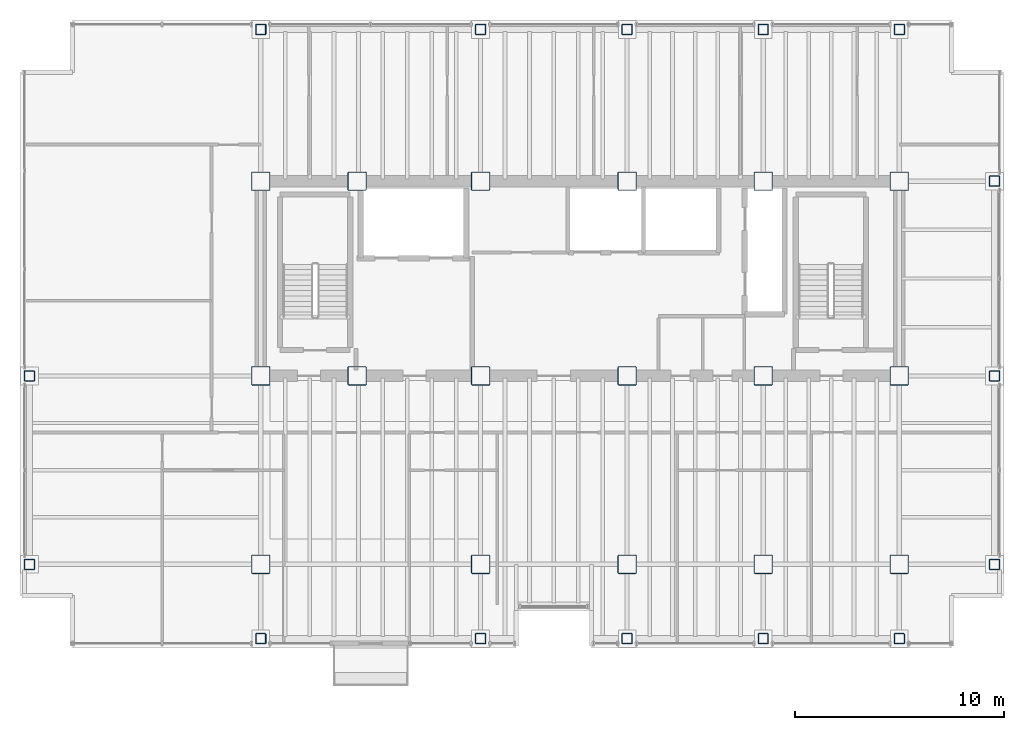
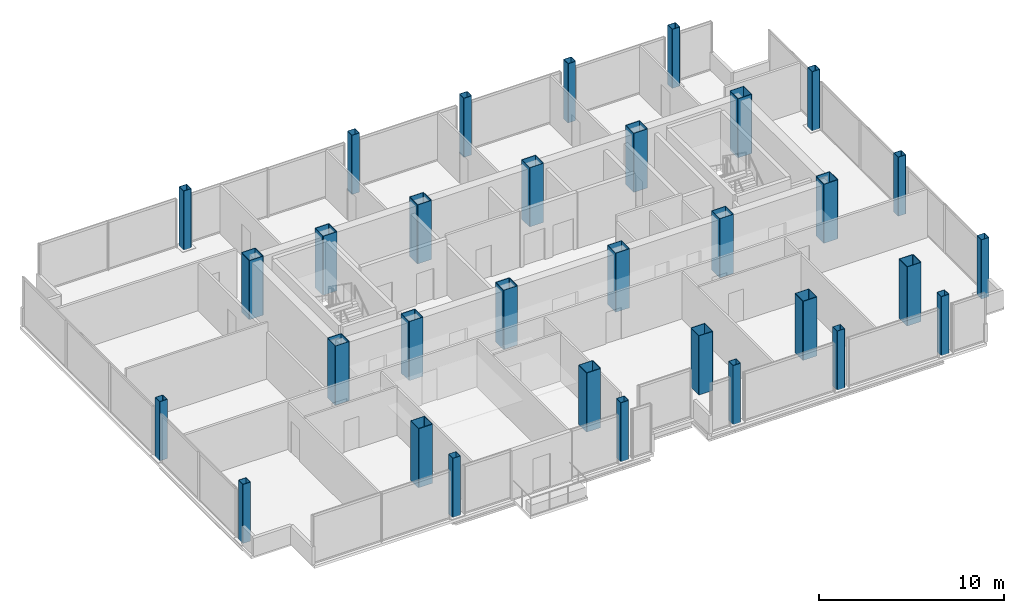
# One storey, part 1 of 19: 32 columns.
"""IFC4 building model written with IfcOpenShell, lengths in metres."""

from ifc_helpers import new_model, si_unit, direction, frame, origin, origin_2d, place, context, subcontext, project, spatial, hollow_rectangle, extrude, material, material_profile, profile_set, type_object, element, save


model = new_model("IFC4")

# Units and contexts
model_context = context("Model", 3, precision=1e-05, world=origin(), true_north=direction((0.0, 1.0)))
body_context = subcontext(model_context, "Body", "Model", "MODEL_VIEW")
ifc_project = project(units=[si_unit("LENGTHUNIT", "METRE"), si_unit("AREAUNIT", "SQUARE_METRE"), si_unit("VOLUMEUNIT", "CUBIC_METRE"), si_unit("PLANEANGLEUNIT", "RADIAN"), si_unit("MASSUNIT", "GRAM", prefix="KILO")], contexts=[model_context])

# Site, building, storey
site_placement = place(None, origin())
site = spatial("IfcSite", under=ifc_project, at=site_placement, CompositionType="ELEMENT")
building_placement = place(site_placement, origin())
building = spatial("IfcBuilding", under=site, at=building_placement, Name="Noeulbin Bourse Tower", CompositionType="ELEMENT")
storey_placement = place(building_placement, frame((0.0, 0.0, 157.800048828125)))
storey = spatial("IfcBuildingStorey", under=building, at=storey_placement, Name="L39", CompositionType="ELEMENT", Elevation=157.800048828125)

# Columns
ifc_material_1 = material(Name="Steel S355", Category="steel")
ifc_material_profile_1 = material_profile(ifc_material_1, hollow_rectangle(XDim=0.5, YDim=0.5, WallThickness=0.02392578125, InnerFilletRadius=0.011962890625, OuterFilletRadius=0.035888671875, at=origin_2d()), Name="BOX-500x500x24", Category="LoadBearing")
ifc_profile_set_1 = profile_set([ifc_material_profile_1], Name="Steel S355")
column_type_1 = type_object("IfcColumnType", Name="COL-PER-Z2", PredefinedType="COLUMN", material=ifc_profile_set_1)
for number, where, z_axis, x_axis, name in (
    (1, (2.449951171875, 20.0, 0.0), (0.0, 0.0, 1.0), (1.0, 0.0, 0.0), "Tower Perimeter Column COL-PER-Z2 01"),
    (2, (2.449951171875, 29.0, 0.0), (0.0, 0.0, 1.0), (1.0, 0.0, 0.0), "Tower Perimeter Column COL-PER-Z2 02"),
    (3, (13.5, 16.449951171875, 0.0), (0.0, 0.0, 1.0), (1.0, 0.0, 0.0), "Tower Perimeter Column COL-PER-Z2 03"),
    (4, (13.5, 45.550048828125, 0.0), (0.0, 0.0, 1.0), (1.0, 0.0, 0.0), "Tower Perimeter Column COL-PER-Z2 04"),
    (5, (24.0, 16.449951171875, 0.0), (0.0, 0.0, 1.0), (1.0, 0.0, 0.0), "Tower Perimeter Column COL-PER-Z2 05"),
    (6, (24.0, 45.550048828125, 0.0), (0.0, 0.0, 1.0), (1.0, 0.0, 0.0), "Tower Perimeter Column COL-PER-Z2 06"),
    (7, (31.0, 16.449951171875, 0.0), (0.0, 0.0, 1.0), (1.0, 0.0, 0.0), "Tower Perimeter Column COL-PER-Z2 07"),
    (8, (31.0, 45.550048828125, 0.0), (0.0, 0.0, 1.0), (1.0, 0.0, 0.0), "Tower Perimeter Column COL-PER-Z2 08"),
    (9, (37.5, 16.449951171875, 0.0), (0.0, 0.0, 1.0), (1.0, 0.0, 0.0), "Tower Perimeter Column COL-PER-Z2 09"),
    (10, (37.5, 45.550048828125, 0.0), (0.0, 0.0, 1.0), (1.0, 0.0, 0.0), "Tower Perimeter Column COL-PER-Z2 10"),
    (11, (44.0, 16.449951171875, 0.0), (0.0, 0.0, 1.0), (1.0, 0.0, 0.0), "Tower Perimeter Column COL-PER-Z2 11"),
    (12, (44.0, 45.550048828125, 0.0), (0.0, 0.0, 1.0), (1.0, 0.0, 0.0), "Tower Perimeter Column COL-PER-Z2 12"),
    (13, (48.550048828125, 20.0, 0.0), (0.0, 0.0, 1.0), (1.0, 0.0, 0.0), "Tower Perimeter Column COL-PER-Z2 13"),
    (14, (48.550048828125, 29.0, 0.0), (0.0, 0.0, 1.0), (1.0, 0.0, 0.0), "Tower Perimeter Column COL-PER-Z2 14"),
    (15, (48.550048828125, 38.300048828125, 0.0), (0.0, 0.0, 1.0), (1.0, 0.0, 0.0), "Tower Perimeter Column COL-PER-Z2 15"),
):
    element("IfcColumn", number, at=place(storey_placement, frame(where, z_axis=z_axis, x_axis=x_axis)), inside=storey, type_object=column_type_1, Name=name, PredefinedType="COLUMN", context=body_context, shape_type="SweptSolid", body=[
        extrude(hollow_rectangle(XDim=0.5, YDim=0.5, WallThickness=0.02392578125, InnerFilletRadius=0.011962890625, OuterFilletRadius=0.035888671875, at=origin_2d()), origin(), (0.0, 0.0, 1.0), 3.89990234375),
    ])
ifc_material_2 = material(Name="Steel S460", Category="steel")
ifc_material_profile_2 = material_profile(ifc_material_2, hollow_rectangle(XDim=0.89990234375, YDim=0.89990234375, WallThickness=0.034912109375, InnerFilletRadius=0.01708984375, OuterFilletRadius=0.052001953125, at=origin_2d()), Name="BOX-900x900x35", Category="LoadBearing")
ifc_profile_set_2 = profile_set([ifc_material_profile_2], Name="Steel S460")
column_type_2 = type_object("IfcColumnType", Name="COL-TRK-Z2", PredefinedType="COLUMN", material=ifc_profile_set_2)
for number, where, z_axis, x_axis, name in (
    (16, (13.5, 29.0, 0.0), (0.0, 0.0, 1.0), (1.0, 0.0, 0.0), "Tower Trunk Mega-Column COL-TRK-Z2 01"),
    (17, (13.5, 38.300048828125, 0.0), (0.0, 0.0, 1.0), (1.0, 0.0, 0.0), "Tower Trunk Mega-Column COL-TRK-Z2 02"),
    (18, (18.10009765625, 29.0, 0.0), (0.0, 0.0, 1.0), (1.0, 0.0, 0.0), "Tower Trunk Mega-Column COL-TRK-Z2 03"),
    (19, (18.10009765625, 38.300048828125, 0.0), (0.0, 0.0, 1.0), (1.0, 0.0, 0.0), "Tower Trunk Mega-Column COL-TRK-Z2 04"),
    (20, (24.0, 29.0, 0.0), (0.0, 0.0, 1.0), (1.0, 0.0, 0.0), "Tower Trunk Mega-Column COL-TRK-Z2 05"),
    (21, (24.0, 38.300048828125, 0.0), (0.0, 0.0, 1.0), (1.0, 0.0, 0.0), "Tower Trunk Mega-Column COL-TRK-Z2 06"),
    (22, (31.0, 29.0, 0.0), (0.0, 0.0, 1.0), (1.0, 0.0, 0.0), "Tower Trunk Mega-Column COL-TRK-Z2 07"),
    (23, (31.0, 38.300048828125, 0.0), (0.0, 0.0, 1.0), (1.0, 0.0, 0.0), "Tower Trunk Mega-Column COL-TRK-Z2 08"),
    (24, (37.5, 29.0, 0.0), (0.0, 0.0, 1.0), (1.0, 0.0, 0.0), "Tower Trunk Mega-Column COL-TRK-Z2 09"),
    (25, (37.5, 38.300048828125, 0.0), (0.0, 0.0, 1.0), (1.0, 0.0, 0.0), "Tower Trunk Mega-Column COL-TRK-Z2 10"),
    (26, (44.0, 29.0, 0.0), (0.0, 0.0, 1.0), (1.0, 0.0, 0.0), "Tower Trunk Mega-Column COL-TRK-Z2 11"),
    (27, (44.0, 38.300048828125, 0.0), (0.0, 0.0, 1.0), (1.0, 0.0, 0.0), "Tower Trunk Mega-Column COL-TRK-Z2 12"),
    (28, (13.5, 20.0, 0.0), (0.0, 0.0, 1.0), (1.0, 0.0, 0.0), "Tower Trunk Mega-Column COL-TRK-Z2 13"),
    (29, (24.0, 20.0, 0.0), (0.0, 0.0, 1.0), (1.0, 0.0, 0.0), "Tower Trunk Mega-Column COL-TRK-Z2 14"),
    (30, (31.0, 20.0, 0.0), (0.0, 0.0, 1.0), (1.0, 0.0, 0.0), "Tower Trunk Mega-Column COL-TRK-Z2 15"),
    (31, (37.5, 20.0, 0.0), (0.0, 0.0, 1.0), (1.0, 0.0, 0.0), "Tower Trunk Mega-Column COL-TRK-Z2 16"),
    (32, (44.0, 20.0, 0.0), (0.0, 0.0, 1.0), (1.0, 0.0, 0.0), "Tower Trunk Mega-Column COL-TRK-Z2 17"),
):
    element("IfcColumn", number, at=place(storey_placement, frame(where, z_axis=z_axis, x_axis=x_axis)), inside=storey, type_object=column_type_2, Name=name, PredefinedType="COLUMN", context=body_context, shape_type="SweptSolid", body=[
        extrude(hollow_rectangle(XDim=0.89990234375, YDim=0.89990234375, WallThickness=0.034912109375, InnerFilletRadius=0.01708984375, OuterFilletRadius=0.052001953125, at=origin_2d()), origin(), (0.0, 0.0, 1.0), 3.89990234375),
    ])

save(model, "model.ifc")
